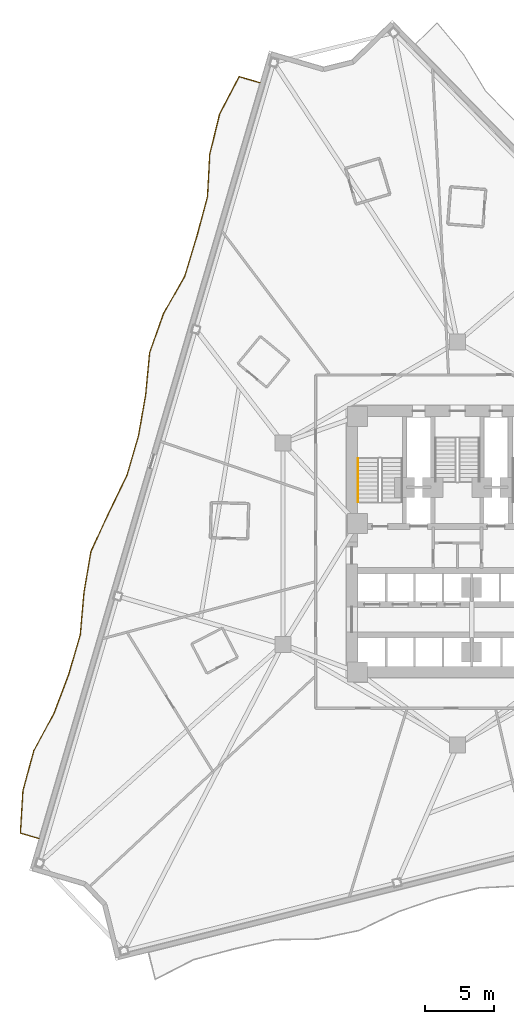
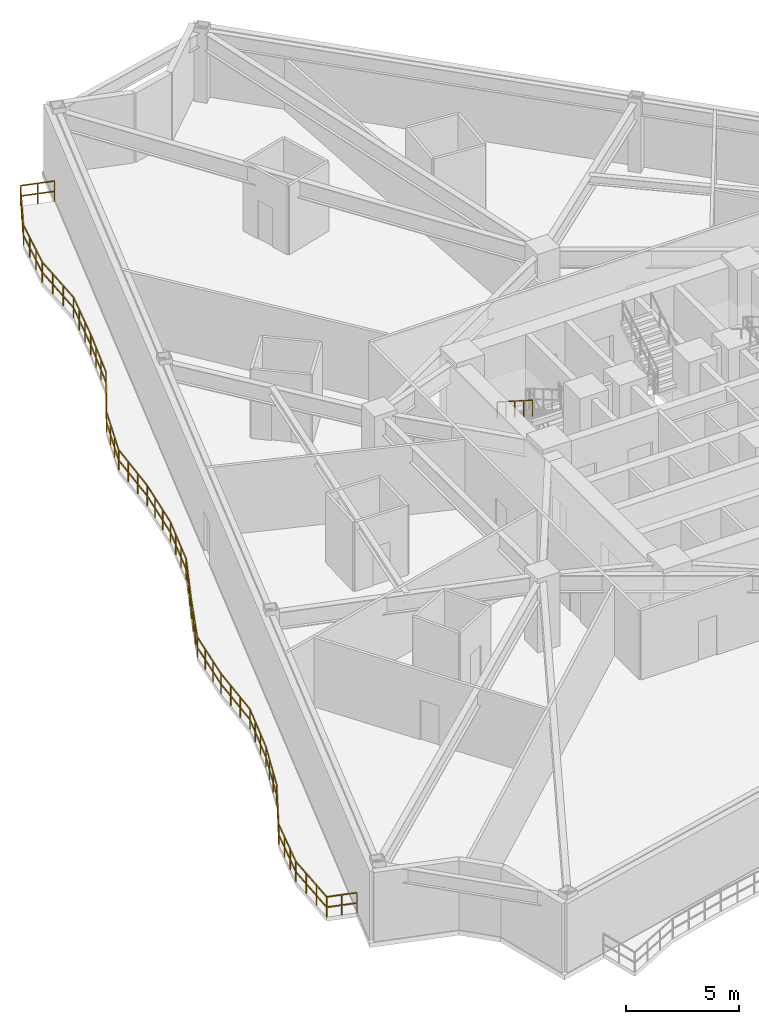
# One storey, part 8 of 10: 2 railings.
"""IFC4 building model written with IfcOpenShell, lengths in metres."""

from ifc_helpers import new_model, si_unit, direction, frame, origin, origin_2d, place, context, subcontext, project, spatial, rectangle, extrude, material, type_object, element, save


model = new_model("IFC4")

# Units and contexts
model_context = context("Model", 3, precision=1e-05, world=origin(), true_north=direction((0.0, 1.0)))
body_context = subcontext(model_context, "Body", "Model", "MODEL_VIEW")
ifc_project = project(units=[si_unit("LENGTHUNIT", "METRE"), si_unit("AREAUNIT", "SQUARE_METRE"), si_unit("VOLUMEUNIT", "CUBIC_METRE"), si_unit("PLANEANGLEUNIT", "RADIAN"), si_unit("MASSUNIT", "GRAM", prefix="KILO")], contexts=[model_context])

# Site, building, storey
site_placement = place(None, origin())
site = spatial("IfcSite", under=ifc_project, at=site_placement, CompositionType="ELEMENT")
building_placement = place(site_placement, origin())
building = spatial("IfcBuilding", under=site, at=building_placement, Name="Apsidion Concourse Tower", CompositionType="ELEMENT")
storey_placement = place(building_placement, frame((0.0, 0.0, 107.0)))
storey = spatial("IfcBuildingStorey", under=building, at=storey_placement, Name="L24", CompositionType="ELEMENT", Elevation=107.0)

# Railings
ifc_material = material(Name="Brushed stainless steel 316", Category="steel")
railing_type_1 = type_object("IfcRailingType", Name="RL-BAL-1120", PredefinedType="BALUSTRADE", material=ifc_material)
railing_1_placement = place(storey_placement, frame((-30.13330078125, -21.2216796875, 0.0)))
element("IfcRailing", 1, at=railing_1_placement, inside=storey, type_object=railing_type_1, Name="L24 Face 1 Rippling Balcony Balustrade", PredefinedType="BALUSTRADE", context=body_context, shape_type="SweptSolid", body=[
    extrude(rectangle(XDim=0.048095703125, YDim=0.048095703125, at=origin_2d()), frame((0.0, 0.0, 1.09619140625), z_axis=(-0.959795573625, 0.28069994095, 0.0), x_axis=(-0.28069994095, -0.959795573625, 0.0)), (0.0, 0.0, 1.0), 1.37939453125),
    extrude(rectangle(XDim=0.048095703125, YDim=0.048095703125, at=origin_2d()), frame((0.0, 0.0, 0.5361328125), z_axis=(-0.959795573625, 0.28069994095, 0.0), x_axis=(-0.28069994095, -0.959795573625, 0.0)), (0.0, 0.0, 1.0), 1.37939453125),
    extrude(rectangle(XDim=0.048095703125, YDim=0.048095703125, at=origin_2d()), frame((-1.323974609375, 0.38720703125, 1.09619140625), z_axis=(0.059760319199, 0.998212755002, 0.0), x_axis=(-0.998212755002, 0.059760319199, 0.0)), (0.0, 0.0, 1.0), 3.059814453125),
    extrude(rectangle(XDim=0.048095703125, YDim=0.048095703125, at=origin_2d()), frame((-1.323974609375, 0.38720703125, 0.5361328125), z_axis=(0.059760319199, 0.998212755002, 0.0), x_axis=(-0.998212755002, 0.059760319199, 0.0)), (0.0, 0.0, 1.0), 3.059814453125),
    extrude(rectangle(XDim=0.048095703125, YDim=0.048095703125, at=origin_2d()), frame((-1.14111328125, 3.441650390625, 1.09619140625), z_axis=(0.262431847824, 0.964950529948, 0.0), x_axis=(-0.964950529948, 0.262431847824, 0.0)), (0.0, 0.0, 1.0), 2.9833984375),
    extrude(rectangle(XDim=0.048095703125, YDim=0.048095703125, at=origin_2d()), frame((-1.14111328125, 3.441650390625, 0.5361328125), z_axis=(0.262431847824, 0.964950529948, 0.0), x_axis=(-0.964950529948, 0.262431847824, 0.0)), (0.0, 0.0, 1.0), 2.9833984375),
    extrude(rectangle(XDim=0.048095703125, YDim=0.048095703125, at=origin_2d()), frame((-0.358154296875, 6.320556640625, 1.09619140625), z_axis=(0.475321168068, 0.879812359078, 0.0), x_axis=(-0.879812359078, 0.475321168068, 0.0)), (0.0, 0.0, 1.0), 3.050537109375),
    extrude(rectangle(XDim=0.048095703125, YDim=0.048095703125, at=origin_2d()), frame((-0.358154296875, 6.320556640625, 0.5361328125), z_axis=(0.475321168068, 0.879812359078, 0.0), x_axis=(-0.879812359078, 0.475321168068, 0.0)), (0.0, 0.0, 1.0), 3.050537109375),
    extrude(rectangle(XDim=0.048095703125, YDim=0.048095703125, at=origin_2d()), frame((1.091796875, 9.00439453125, 1.09619140625), z_axis=(0.353849650779, 0.935302317245, 0.0), x_axis=(-0.935302317245, 0.353849650779, 0.0)), (0.0, 0.0, 1.0), 2.99169921875),
    extrude(rectangle(XDim=0.048095703125, YDim=0.048095703125, at=origin_2d()), frame((1.091796875, 9.00439453125, 0.5361328125), z_axis=(0.353849650779, 0.935302317245, 0.0), x_axis=(-0.935302317245, 0.353849650779, 0.0)), (0.0, 0.0, 1.0), 2.99169921875),
    extrude(rectangle(XDim=0.048095703125, YDim=0.048095703125, at=origin_2d()), frame((2.150390625, 11.802490234375, 1.09619140625), z_axis=(0.280725911516, 0.959787977943, 0.0), x_axis=(-0.959787977943, 0.280725911516, 0.0)), (0.0, 0.0, 1.0), 2.98291015625),
    extrude(rectangle(XDim=0.048095703125, YDim=0.048095703125, at=origin_2d()), frame((2.150390625, 11.802490234375, 0.5361328125), z_axis=(0.280725911516, 0.959787977943, 0.0), x_axis=(-0.959787977943, 0.280725911516, 0.0)), (0.0, 0.0, 1.0), 2.98291015625),
    extrude(rectangle(XDim=0.048095703125, YDim=0.048095703125, at=origin_2d()), frame((2.98779296875, 14.66552734375, 1.09619140625), z_axis=(0.086013300795, 0.996293988784, 0.0), x_axis=(-0.996293988784, 0.086013300795, 0.0)), (0.0, 0.0, 1.0), 3.042724609375),
    extrude(rectangle(XDim=0.048095703125, YDim=0.048095703125, at=origin_2d()), frame((2.98779296875, 14.66552734375, 0.5361328125), z_axis=(0.086013300795, 0.996293988784, 0.0), x_axis=(-0.996293988784, 0.086013300795, 0.0)), (0.0, 0.0, 1.0), 3.042724609375),
    extrude(rectangle(XDim=0.048095703125, YDim=0.048095703125, at=origin_2d()), frame((3.24951171875, 17.697021484375, 1.09619140625), z_axis=(0.167720337379, 0.985834615151, 0.0), x_axis=(-0.985834615151, 0.167720337379, 0.0)), (0.0, 0.0, 1.0), 3.0029296875),
    extrude(rectangle(XDim=0.048095703125, YDim=0.048095703125, at=origin_2d()), frame((3.24951171875, 17.697021484375, 0.5361328125), z_axis=(0.167720337379, 0.985834615151, 0.0), x_axis=(-0.985834615151, 0.167720337379, 0.0)), (0.0, 0.0, 1.0), 3.0029296875),
    extrude(rectangle(XDim=0.048095703125, YDim=0.048095703125, at=origin_2d()), frame((3.753173828125, 20.657470703125, 1.09619140625), z_axis=(0.418986310212, 0.90799255055, 0.0), x_axis=(-0.90799255055, 0.418986310212, 0.0)), (0.0, 0.0, 1.0), 3.01611328125),
    extrude(rectangle(XDim=0.048095703125, YDim=0.048095703125, at=origin_2d()), frame((3.753173828125, 20.657470703125, 0.5361328125), z_axis=(0.418986310212, 0.90799255055, 0.0), x_axis=(-0.90799255055, 0.418986310212, 0.0)), (0.0, 0.0, 1.0), 3.01611328125),
    extrude(rectangle(XDim=0.048095703125, YDim=0.048095703125, at=origin_2d()), frame((5.016845703125, 23.39599609375, 1.09619140625), z_axis=(0.436691262033, 0.899611439269, 0.0), x_axis=(-0.899611439269, 0.436691262033, 0.0)), (0.0, 0.0, 1.0), 3.025146484375),
    extrude(rectangle(XDim=0.048095703125, YDim=0.048095703125, at=origin_2d()), frame((5.016845703125, 23.39599609375, 0.5361328125), z_axis=(0.436691262033, 0.899611439269, 0.0), x_axis=(-0.899611439269, 0.436691262033, 0.0)), (0.0, 0.0, 1.0), 3.025146484375),
    extrude(rectangle(XDim=0.048095703125, YDim=0.048095703125, at=origin_2d()), frame((6.337890625, 26.117431640625, 1.09619140625), z_axis=(0.280823361776, 0.959759469597, 0.0), x_axis=(-0.959759469597, 0.280823361776, 0.0)), (0.0, 0.0, 1.0), 2.98291015625),
    extrude(rectangle(XDim=0.048095703125, YDim=0.048095703125, at=origin_2d()), frame((6.337890625, 26.117431640625, 0.5361328125), z_axis=(0.280823361776, 0.959759469597, 0.0), x_axis=(-0.959759469597, 0.280823361776, 0.0)), (0.0, 0.0, 1.0), 2.98291015625),
    extrude(rectangle(XDim=0.048095703125, YDim=0.048095703125, at=origin_2d()), frame((7.175537109375, 28.980224609375, 1.09619140625), z_axis=(0.171938382649, 0.985107706077, 0.0), x_axis=(-0.985107706077, 0.171938382649, 0.0)), (0.0, 0.0, 1.0), 3.001708984375),
    extrude(rectangle(XDim=0.048095703125, YDim=0.048095703125, at=origin_2d()), frame((7.175537109375, 28.980224609375, 0.5361328125), z_axis=(0.171938382649, 0.985107706077, 0.0), x_axis=(-0.985107706077, 0.171938382649, 0.0)), (0.0, 0.0, 1.0), 3.001708984375),
    extrude(rectangle(XDim=0.048095703125, YDim=0.048095703125, at=origin_2d()), frame((7.691650390625, 31.937255859375, 1.09619140625), z_axis=(0.093455214885, 0.995623484461, 0.0), x_axis=(-0.995623484461, 0.093455214885, 0.0)), (0.0, 0.0, 1.0), 3.0380859375),
    extrude(rectangle(XDim=0.048095703125, YDim=0.048095703125, at=origin_2d()), frame((7.691650390625, 31.937255859375, 0.5361328125), z_axis=(0.093455214885, 0.995623484461, 0.0), x_axis=(-0.995623484461, 0.093455214885, 0.0)), (0.0, 0.0, 1.0), 3.0380859375),
    extrude(rectangle(XDim=0.048095703125, YDim=0.048095703125, at=origin_2d()), frame((7.9755859375, 34.962158203125, 1.09619140625), z_axis=(0.335186987309, 0.942151624495, 0.0), x_axis=(-0.942151624495, 0.335186987309, 0.0)), (0.0, 0.0, 1.0), 2.98779296875),
    extrude(rectangle(XDim=0.048095703125, YDim=0.048095703125, at=origin_2d()), frame((7.9755859375, 34.962158203125, 0.5361328125), z_axis=(0.335186987309, 0.942151624495, 0.0), x_axis=(-0.942151624495, 0.335186987309, 0.0)), (0.0, 0.0, 1.0), 2.98779296875),
    extrude(rectangle(XDim=0.048095703125, YDim=0.048095703125, at=origin_2d()), frame((8.97705078125, 37.777099609375, 1.09619140625), z_axis=(0.495246913734, 0.868752262982, 0.0), x_axis=(-0.868752262982, 0.495246913734, 0.0)), (0.0, 0.0, 1.0), 3.066162109375),
    extrude(rectangle(XDim=0.048095703125, YDim=0.048095703125, at=origin_2d()), frame((8.97705078125, 37.777099609375, 0.5361328125), z_axis=(0.495246913734, 0.868752262982, 0.0), x_axis=(-0.868752262982, 0.495246913734, 0.0)), (0.0, 0.0, 1.0), 3.066162109375),
    extrude(rectangle(XDim=0.048095703125, YDim=0.048095703125, at=origin_2d()), frame((10.49560546875, 40.44091796875, 1.09619140625), z_axis=(0.290777312706, 0.956790757907, 0.0), x_axis=(-0.956790757907, 0.290777312706, 0.0)), (0.0, 0.0, 1.0), 2.983154296875),
    extrude(rectangle(XDim=0.048095703125, YDim=0.048095703125, at=origin_2d()), frame((10.49560546875, 40.44091796875, 0.5361328125), z_axis=(0.290777312706, 0.956790757907, 0.0), x_axis=(-0.956790757907, 0.290777312706, 0.0)), (0.0, 0.0, 1.0), 2.983154296875),
    extrude(rectangle(XDim=0.048095703125, YDim=0.048095703125, at=origin_2d()), frame((11.363037109375, 43.295166015625, 1.09619140625), z_axis=(0.260381356024, 0.96550585158, 0.0), x_axis=(-0.96550585158, 0.260381356024, 0.0)), (0.0, 0.0, 1.0), 2.983642578125),
    extrude(rectangle(XDim=0.048095703125, YDim=0.048095703125, at=origin_2d()), frame((11.363037109375, 43.295166015625, 0.5361328125), z_axis=(0.260381356024, 0.96550585158, 0.0), x_axis=(-0.96550585158, 0.260381356024, 0.0)), (0.0, 0.0, 1.0), 2.983642578125),
    extrude(rectangle(XDim=0.048095703125, YDim=0.048095703125, at=origin_2d()), frame((12.139892578125, 46.17578125, 1.09619140625), z_axis=(0.053294713617, 0.998578826884, 0.0), x_axis=(-0.998578826884, 0.053294713617, 0.0)), (0.0, 0.0, 1.0), 3.064697265625),
    extrude(rectangle(XDim=0.048095703125, YDim=0.048095703125, at=origin_2d()), frame((12.139892578125, 46.17578125, 0.5361328125), z_axis=(0.053294713617, 0.998578826884, 0.0), x_axis=(-0.998578826884, 0.053294713617, 0.0)), (0.0, 0.0, 1.0), 3.064697265625),
    extrude(rectangle(XDim=0.048095703125, YDim=0.048095703125, at=origin_2d()), frame((12.30322265625, 49.236083984375, 1.09619140625), z_axis=(0.237703420173, 0.971337780609, 0.0), x_axis=(-0.971337780609, 0.237703420173, 0.0)), (0.0, 0.0, 1.0), 2.98583984375),
    extrude(rectangle(XDim=0.048095703125, YDim=0.048095703125, at=origin_2d()), frame((12.30322265625, 49.236083984375, 0.5361328125), z_axis=(0.237703420173, 0.971337780609, 0.0), x_axis=(-0.971337780609, 0.237703420173, 0.0)), (0.0, 0.0, 1.0), 2.98583984375),
    extrude(rectangle(XDim=0.048095703125, YDim=0.048095703125, at=origin_2d()), frame((13.012939453125, 52.13623046875, 1.09619140625), z_axis=(0.464207876719, 0.88572628232, 0.0), x_axis=(-0.88572628232, 0.464207876719, 0.0)), (0.0, 0.0, 1.0), 3.04248046875),
    extrude(rectangle(XDim=0.048095703125, YDim=0.048095703125, at=origin_2d()), frame((13.012939453125, 52.13623046875, 0.5361328125), z_axis=(0.464207876719, 0.88572628232, 0.0), x_axis=(-0.88572628232, 0.464207876719, 0.0)), (0.0, 0.0, 1.0), 3.04248046875),
    extrude(rectangle(XDim=0.048095703125, YDim=0.048095703125, at=origin_2d()), frame((14.42529296875, 54.8310546875, 1.09619140625), z_axis=(0.959793319768, -0.280707647436, 0.0), x_axis=(0.280707647436, 0.959793319768, 0.0)), (0.0, 0.0, 1.0), 1.5498046875),
    extrude(rectangle(XDim=0.048095703125, YDim=0.048095703125, at=origin_2d()), frame((14.42529296875, 54.8310546875, 0.5361328125), z_axis=(0.959793319768, -0.280707647436, 0.0), x_axis=(0.280707647436, 0.959793319768, 0.0)), (0.0, 0.0, 1.0), 1.5498046875),
    extrude(rectangle(XDim=0.0419921875, YDim=0.0419921875, at=origin_2d()), origin(), (0.0, 0.0, 1.0), 1.072021484375),
    extrude(rectangle(XDim=0.0419921875, YDim=0.0419921875, at=origin_2d()), frame((-0.662109375, 0.193603515625, 0.0)), (0.0, 0.0, 1.0), 1.072021484375),
    extrude(rectangle(XDim=0.0419921875, YDim=0.0419921875, at=origin_2d()), frame((-1.323974609375, 0.38720703125, 0.0)), (0.0, 0.0, 1.0), 1.072021484375),
    extrude(rectangle(XDim=0.0419921875, YDim=0.0419921875, at=origin_2d()), frame((-1.262939453125, 1.4052734375, 0.0)), (0.0, 0.0, 1.0), 1.072021484375),
    extrude(rectangle(XDim=0.0419921875, YDim=0.0419921875, at=origin_2d()), frame((-1.2021484375, 2.423583984375, 0.0)), (0.0, 0.0, 1.0), 1.072021484375),
    extrude(rectangle(XDim=0.0419921875, YDim=0.0419921875, at=origin_2d()), frame((-1.14111328125, 3.441650390625, 0.0)), (0.0, 0.0, 1.0), 1.072021484375),
    extrude(rectangle(XDim=0.0419921875, YDim=0.0419921875, at=origin_2d()), frame((-0.880126953125, 4.4013671875, 0.0)), (0.0, 0.0, 1.0), 1.072021484375),
    extrude(rectangle(XDim=0.0419921875, YDim=0.0419921875, at=origin_2d()), frame((-0.619140625, 5.36083984375, 0.0)), (0.0, 0.0, 1.0), 1.072021484375),
    extrude(rectangle(XDim=0.0419921875, YDim=0.0419921875, at=origin_2d()), frame((-0.358154296875, 6.320556640625, 0.0)), (0.0, 0.0, 1.0), 1.072021484375),
    extrude(rectangle(XDim=0.0419921875, YDim=0.0419921875, at=origin_2d()), frame((0.125244140625, 7.215087890625, 0.0)), (0.0, 0.0, 1.0), 1.072021484375),
    extrude(rectangle(XDim=0.0419921875, YDim=0.0419921875, at=origin_2d()), frame((0.6083984375, 8.10986328125, 0.0)), (0.0, 0.0, 1.0), 1.072021484375),
    extrude(rectangle(XDim=0.0419921875, YDim=0.0419921875, at=origin_2d()), frame((1.091796875, 9.00439453125, 0.0)), (0.0, 0.0, 1.0), 1.072021484375),
    extrude(rectangle(XDim=0.0419921875, YDim=0.0419921875, at=origin_2d()), frame((1.444580078125, 9.93701171875, 0.0)), (0.0, 0.0, 1.0), 1.072021484375),
    extrude(rectangle(XDim=0.0419921875, YDim=0.0419921875, at=origin_2d()), frame((1.797607421875, 10.869873046875, 0.0)), (0.0, 0.0, 1.0), 1.072021484375),
    extrude(rectangle(XDim=0.0419921875, YDim=0.0419921875, at=origin_2d()), frame((2.150390625, 11.802490234375, 0.0)), (0.0, 0.0, 1.0), 1.072021484375),
    extrude(rectangle(XDim=0.0419921875, YDim=0.0419921875, at=origin_2d()), frame((2.429443359375, 12.7568359375, 0.0)), (0.0, 0.0, 1.0), 1.072021484375),
    extrude(rectangle(XDim=0.0419921875, YDim=0.0419921875, at=origin_2d()), frame((2.708740234375, 13.711181640625, 0.0)), (0.0, 0.0, 1.0), 1.072021484375),
    extrude(rectangle(XDim=0.0419921875, YDim=0.0419921875, at=origin_2d()), frame((2.98779296875, 14.66552734375, 0.0)), (0.0, 0.0, 1.0), 1.072021484375),
    extrude(rectangle(XDim=0.0419921875, YDim=0.0419921875, at=origin_2d()), frame((3.074951171875, 15.676025390625, 0.0)), (0.0, 0.0, 1.0), 1.072021484375),
    extrude(rectangle(XDim=0.0419921875, YDim=0.0419921875, at=origin_2d()), frame((3.162353515625, 16.6865234375, 0.0)), (0.0, 0.0, 1.0), 1.072021484375),
    extrude(rectangle(XDim=0.0419921875, YDim=0.0419921875, at=origin_2d()), frame((3.24951171875, 17.697021484375, 0.0)), (0.0, 0.0, 1.0), 1.072021484375),
    extrude(rectangle(XDim=0.0419921875, YDim=0.0419921875, at=origin_2d()), frame((3.41748046875, 18.683837890625, 0.0)), (0.0, 0.0, 1.0), 1.072021484375),
    extrude(rectangle(XDim=0.0419921875, YDim=0.0419921875, at=origin_2d()), frame((3.585205078125, 19.670654296875, 0.0)), (0.0, 0.0, 1.0), 1.072021484375),
    extrude(rectangle(XDim=0.0419921875, YDim=0.0419921875, at=origin_2d()), frame((3.753173828125, 20.657470703125, 0.0)), (0.0, 0.0, 1.0), 1.072021484375),
    extrude(rectangle(XDim=0.0419921875, YDim=0.0419921875, at=origin_2d()), frame((4.17431640625, 21.5703125, 0.0)), (0.0, 0.0, 1.0), 1.072021484375),
    extrude(rectangle(XDim=0.0419921875, YDim=0.0419921875, at=origin_2d()), frame((4.595703125, 22.483154296875, 0.0)), (0.0, 0.0, 1.0), 1.072021484375),
    extrude(rectangle(XDim=0.0419921875, YDim=0.0419921875, at=origin_2d()), frame((5.016845703125, 23.39599609375, 0.0)), (0.0, 0.0, 1.0), 1.072021484375),
    extrude(rectangle(XDim=0.0419921875, YDim=0.0419921875, at=origin_2d()), frame((5.457275390625, 24.30322265625, 0.0)), (0.0, 0.0, 1.0), 1.072021484375),
    extrude(rectangle(XDim=0.0419921875, YDim=0.0419921875, at=origin_2d()), frame((5.8974609375, 25.210205078125, 0.0)), (0.0, 0.0, 1.0), 1.072021484375),
    extrude(rectangle(XDim=0.0419921875, YDim=0.0419921875, at=origin_2d()), frame((6.337890625, 26.117431640625, 0.0)), (0.0, 0.0, 1.0), 1.072021484375),
    extrude(rectangle(XDim=0.0419921875, YDim=0.0419921875, at=origin_2d()), frame((6.6171875, 27.07177734375, 0.0)), (0.0, 0.0, 1.0), 1.072021484375),
    extrude(rectangle(XDim=0.0419921875, YDim=0.0419921875, at=origin_2d()), frame((6.896240234375, 28.02587890625, 0.0)), (0.0, 0.0, 1.0), 1.072021484375),
    extrude(rectangle(XDim=0.0419921875, YDim=0.0419921875, at=origin_2d()), frame((7.175537109375, 28.980224609375, 0.0)), (0.0, 0.0, 1.0), 1.072021484375),
    extrude(rectangle(XDim=0.0419921875, YDim=0.0419921875, at=origin_2d()), frame((7.34765625, 29.9658203125, 0.0)), (0.0, 0.0, 1.0), 1.072021484375),
    extrude(rectangle(XDim=0.0419921875, YDim=0.0419921875, at=origin_2d()), frame((7.51953125, 30.95166015625, 0.0)), (0.0, 0.0, 1.0), 1.072021484375),
    extrude(rectangle(XDim=0.0419921875, YDim=0.0419921875, at=origin_2d()), frame((7.691650390625, 31.937255859375, 0.0)), (0.0, 0.0, 1.0), 1.072021484375),
    extrude(rectangle(XDim=0.0419921875, YDim=0.0419921875, at=origin_2d()), frame((7.786376953125, 32.945556640625, 0.0)), (0.0, 0.0, 1.0), 1.072021484375),
    extrude(rectangle(XDim=0.0419921875, YDim=0.0419921875, at=origin_2d()), frame((7.880859375, 33.953857421875, 0.0)), (0.0, 0.0, 1.0), 1.072021484375),
    extrude(rectangle(XDim=0.0419921875, YDim=0.0419921875, at=origin_2d()), frame((7.9755859375, 34.962158203125, 0.0)), (0.0, 0.0, 1.0), 1.072021484375),
    extrude(rectangle(XDim=0.0419921875, YDim=0.0419921875, at=origin_2d()), frame((8.309326171875, 35.900390625, 0.0)), (0.0, 0.0, 1.0), 1.072021484375),
    extrude(rectangle(XDim=0.0419921875, YDim=0.0419921875, at=origin_2d()), frame((8.643310546875, 36.8388671875, 0.0)), (0.0, 0.0, 1.0), 1.072021484375),
    extrude(rectangle(XDim=0.0419921875, YDim=0.0419921875, at=origin_2d()), frame((8.97705078125, 37.777099609375, 0.0)), (0.0, 0.0, 1.0), 1.072021484375),
    extrude(rectangle(XDim=0.0419921875, YDim=0.0419921875, at=origin_2d()), frame((9.483154296875, 38.6650390625, 0.0)), (0.0, 0.0, 1.0), 1.072021484375),
    extrude(rectangle(XDim=0.0419921875, YDim=0.0419921875, at=origin_2d()), frame((9.989501953125, 39.552978515625, 0.0)), (0.0, 0.0, 1.0), 1.072021484375),
    extrude(rectangle(XDim=0.0419921875, YDim=0.0419921875, at=origin_2d()), frame((10.49560546875, 40.44091796875, 0.0)), (0.0, 0.0, 1.0), 1.072021484375),
    extrude(rectangle(XDim=0.0419921875, YDim=0.0419921875, at=origin_2d()), frame((10.78466796875, 41.392333984375, 0.0)), (0.0, 0.0, 1.0), 1.072021484375),
    extrude(rectangle(XDim=0.0419921875, YDim=0.0419921875, at=origin_2d()), frame((11.073974609375, 42.34375, 0.0)), (0.0, 0.0, 1.0), 1.072021484375),
    extrude(rectangle(XDim=0.0419921875, YDim=0.0419921875, at=origin_2d()), frame((11.363037109375, 43.295166015625, 0.0)), (0.0, 0.0, 1.0), 1.072021484375),
    extrude(rectangle(XDim=0.0419921875, YDim=0.0419921875, at=origin_2d()), frame((11.6220703125, 44.25537109375, 0.0)), (0.0, 0.0, 1.0), 1.072021484375),
    extrude(rectangle(XDim=0.0419921875, YDim=0.0419921875, at=origin_2d()), frame((11.880859375, 45.215576171875, 0.0)), (0.0, 0.0, 1.0), 1.072021484375),
    extrude(rectangle(XDim=0.0419921875, YDim=0.0419921875, at=origin_2d()), frame((12.139892578125, 46.17578125, 0.0)), (0.0, 0.0, 1.0), 1.072021484375),
    extrude(rectangle(XDim=0.0419921875, YDim=0.0419921875, at=origin_2d()), frame((12.1943359375, 47.19580078125, 0.0)), (0.0, 0.0, 1.0), 1.072021484375),
    extrude(rectangle(XDim=0.0419921875, YDim=0.0419921875, at=origin_2d()), frame((12.248779296875, 48.216064453125, 0.0)), (0.0, 0.0, 1.0), 1.072021484375),
    extrude(rectangle(XDim=0.0419921875, YDim=0.0419921875, at=origin_2d()), frame((12.30322265625, 49.236083984375, 0.0)), (0.0, 0.0, 1.0), 1.072021484375),
    extrude(rectangle(XDim=0.0419921875, YDim=0.0419921875, at=origin_2d()), frame((12.539794921875, 50.202880859375, 0.0)), (0.0, 0.0, 1.0), 1.072021484375),
    extrude(rectangle(XDim=0.0419921875, YDim=0.0419921875, at=origin_2d()), frame((12.7763671875, 51.16943359375, 0.0)), (0.0, 0.0, 1.0), 1.072021484375),
    extrude(rectangle(XDim=0.0419921875, YDim=0.0419921875, at=origin_2d()), frame((13.012939453125, 52.13623046875, 0.0)), (0.0, 0.0, 1.0), 1.072021484375),
    extrude(rectangle(XDim=0.0419921875, YDim=0.0419921875, at=origin_2d()), frame((13.483642578125, 53.034423828125, 0.0)), (0.0, 0.0, 1.0), 1.072021484375),
    extrude(rectangle(XDim=0.0419921875, YDim=0.0419921875, at=origin_2d()), frame((13.95458984375, 53.932861328125, 0.0)), (0.0, 0.0, 1.0), 1.072021484375),
    extrude(rectangle(XDim=0.0419921875, YDim=0.0419921875, at=origin_2d()), frame((14.42529296875, 54.8310546875, 0.0)), (0.0, 0.0, 1.0), 1.072021484375),
    extrude(rectangle(XDim=0.0419921875, YDim=0.0419921875, at=origin_2d()), frame((15.1689453125, 54.613525390625, 0.0)), (0.0, 0.0, 1.0), 1.072021484375),
    extrude(rectangle(XDim=0.0419921875, YDim=0.0419921875, at=origin_2d()), frame((15.912841796875, 54.39599609375, 0.0)), (0.0, 0.0, 1.0), 1.072021484375),
])
railing_type_2 = type_object("IfcRailingType", Name="RL-HAND-900", PredefinedType="HANDRAIL", material=ifc_material)
railing_2_placement = place(storey_placement, frame((-7.14990234375, 6.135009765625, 2.166748046875)))
element("IfcRailing", 2, at=railing_2_placement, inside=storey, type_object=railing_type_2, Name="L24 ST1 stair handrail 2", PredefinedType="HANDRAIL", context=body_context, shape_type="SweptSolid", body=[
    extrude(rectangle(XDim=0.048095703125, YDim=0.048095703125, at=origin_2d()), frame((0.0, 0.0, 0.8759765625), z_axis=(0.0, -0.843052688722, 0.537830980921), x_axis=(1.0, 0.0, 0.0)), (0.0, 0.0, 1.0), 3.71875),
    extrude(rectangle(XDim=0.0419921875, YDim=0.0419921875, at=origin_2d()), origin(), (0.0, 0.0, 1.0), 0.851806640625),
    extrude(rectangle(XDim=0.0419921875, YDim=0.0419921875, at=origin_2d()), frame((0.0, -0.78369140625, 0.5)), (0.0, 0.0, 1.0), 0.851806640625),
    extrude(rectangle(XDim=0.0419921875, YDim=0.0419921875, at=origin_2d()), frame((0.0, -1.5673828125, 1.0)), (0.0, 0.0, 1.0), 0.851806640625),
    extrude(rectangle(XDim=0.0419921875, YDim=0.0419921875, at=origin_2d()), frame((0.0, -2.351318359375, 1.5)), (0.0, 0.0, 1.0), 0.851806640625),
    extrude(rectangle(XDim=0.0419921875, YDim=0.0419921875, at=origin_2d()), frame((0.0, -3.135009765625, 2.0)), (0.0, 0.0, 1.0), 0.851806640625),
])

save(model, "model.ifc")
